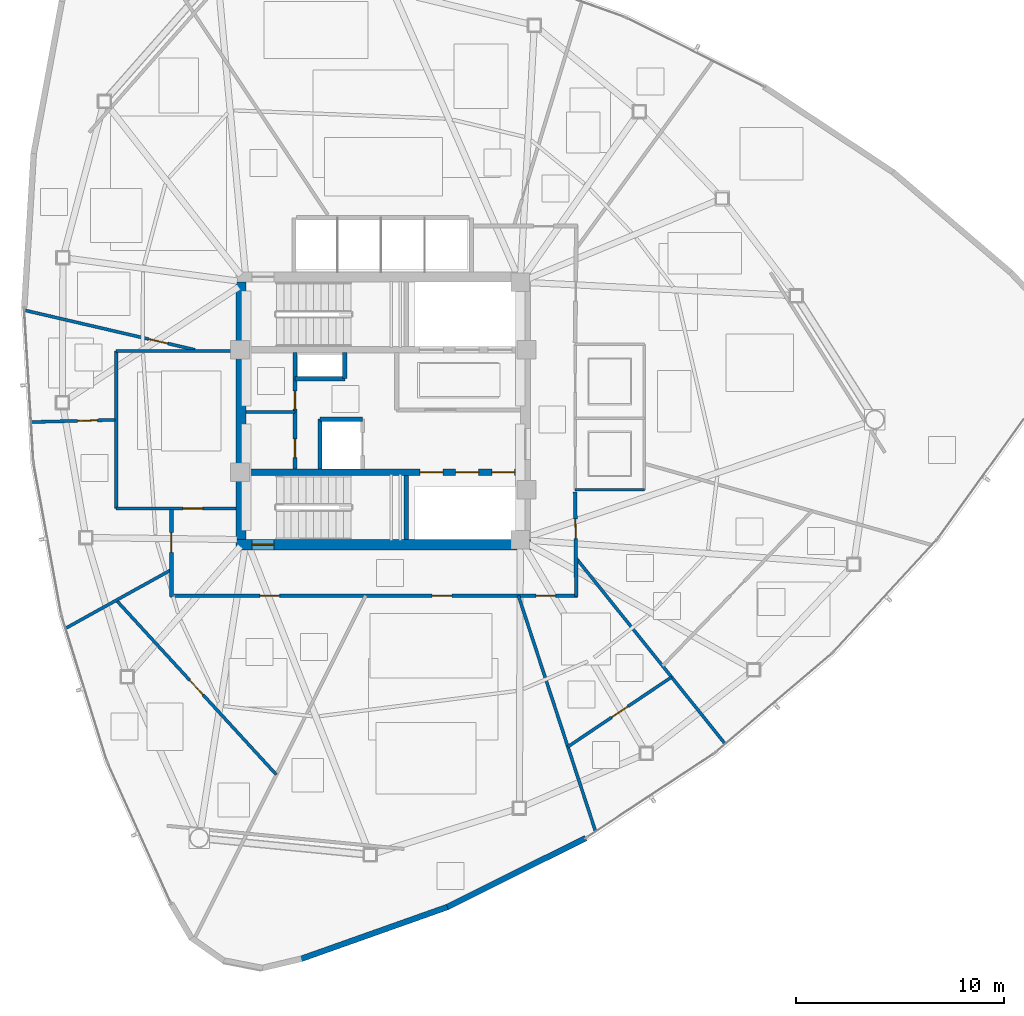
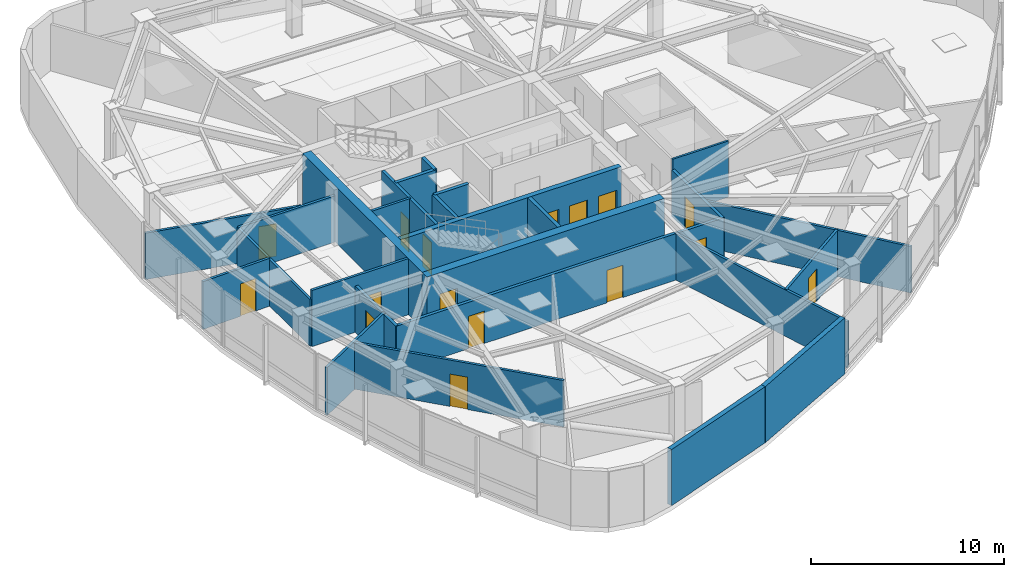
# One storey, part 11 of 17: 26 walls, 16 doors, 16 openings.
"""IFC4 building model written with IfcOpenShell, lengths in metres."""

from ifc_helpers import new_model, si_unit, direction, frame, frame_2d, origin, place, context, subcontext, project, spatial, rectangle, extrude, material, layer, layer_set, type_object, element, fill, save


model = new_model("IFC4")

# Units and contexts
model_context = context("Model", 3, precision=1e-05, world=origin(), true_north=direction((0.0, 1.0)))
body_context = subcontext(model_context, "Body", "Model", "MODEL_VIEW")
ifc_project = project(units=[si_unit("LENGTHUNIT", "METRE"), si_unit("AREAUNIT", "SQUARE_METRE"), si_unit("VOLUMEUNIT", "CUBIC_METRE"), si_unit("PLANEANGLEUNIT", "RADIAN"), si_unit("MASSUNIT", "GRAM", prefix="KILO")], contexts=[model_context])

# Site, building, storey
site_placement = place(None, origin())
site = spatial("IfcSite", under=ifc_project, at=site_placement, CompositionType="ELEMENT")
building_placement = place(site_placement, origin())
building = spatial("IfcBuilding", under=site, at=building_placement, Name="Tavelor Broadcast Tower", CompositionType="ELEMENT")
storey_placement = place(building_placement, frame((0.0, 0.0, 188.75)))
storey = spatial("IfcBuildingStorey", under=building, at=storey_placement, Name="L45", CompositionType="ELEMENT", Elevation=188.75)

# Wall, opening, door
ifc_material_1 = material(Name="Concrete C50/60", Category="concrete")
ifc_layer_1 = layer(ifc_material_1, 0.5)
ifc_layer_set_1 = layer_set([ifc_layer_1], Name="Concrete C50/60")
wall_type_1 = type_object("IfcWallType", Name="Core Shear Wall 500 mm", PredefinedType="SHEAR", material=ifc_layer_set_1)
wall_1_placement = place(storey_placement, frame((42.89990234375, 38.550048828125, 0.0), z_axis=(0.0, 0.0, 1.0), x_axis=(1.0, 0.0, 0.0)))
wall_1 = element("IfcWall", 1, at=wall_1_placement, inside=storey, type_object=wall_type_1, Name="L45 Central Core Shear Wall S", PredefinedType="SHEAR", context=body_context, shape_type="SweptSolid", body=[
    extrude(rectangle(XDim=14.2001953125, YDim=0.5, at=frame_2d((7.10009765625, 0.0))), origin(), (0.0, 0.0, 1.0), 3.550048828125),
])
opening_1_placement = place(wall_1_placement, frame((0.780029296875, 0.0, 0.0)))
opening_1 = element("IfcOpeningElement", 2, at=opening_1_placement, cuts=wall_1, Name="Opening DR11", PredefinedType="OPENING", context=body_context, shape_type="SweptSolid", body=[
    extrude(rectangle(XDim=1.050048828125, YDim=2.199951171875, at=frame_2d((0.52490234375, 1.10009765625))), frame((0.0, 0.260009765625, 0.0), z_axis=(0.0, -1.0, 0.0), x_axis=(1.0, 0.0, 0.0)), (0.0, 0.0, 1.0), 0.52001953125),
])
ifc_material_2 = material(Name="Steel S355", Category="steel")
door_type_1 = type_object("IfcDoorType", Name="Stair Core Fire Escape Door 1050x2200", OperationType="NOTDEFINED", PredefinedType="DOOR", material=ifc_material_2)
door_1_placement = place(opening_1_placement, origin())
door_1 = element("IfcDoor", 3, at=door_1_placement, inside=storey, type_object=door_type_1, Name="L45 Stair ST2 Protected Exit Door", OperationType="SINGLE_SWING_RIGHT", OverallHeight=2.199951171875, OverallWidth=1.050048828125, PredefinedType="DOOR", context=body_context, shape_type="SweptSolid", body=[
    extrude(rectangle(XDim=1.050048828125, YDim=2.199951171875, at=frame_2d((0.52490234375, 1.10009765625))), frame((0.0, 0.02490234375, 0.0), z_axis=(0.0, -1.0, 0.0), x_axis=(1.0, 0.0, 0.0)), (0.0, 0.0, 1.0), 0.050048828125),
])
fill(opening_1, door_1)

# Wall
wall_2_placement = place(storey_placement, frame((43.14990234375, 38.800048828125, 0.0), z_axis=(0.0, 0.0, 1.0), x_axis=(0.0, 1.0, 0.0)))
element("IfcWall", 4, at=wall_2_placement, inside=storey, type_object=wall_type_1, Name="L45 Central Core Shear Wall W", PredefinedType="SHEAR", context=body_context, shape_type="SweptSolid", body=[
    extrude(rectangle(XDim=12.39990234375, YDim=0.5, at=frame_2d((6.199951171875, 0.0))), origin(), (0.0, 0.0, 1.0), 3.550048828125),
])

# Wall, openings, doors
ifc_layer_2 = layer(ifc_material_1, 0.300048828125)
ifc_layer_set_2 = layer_set([ifc_layer_2], Name="Concrete C50/60")
wall_type_2 = type_object("IfcWallType", Name="Core Spine Shear Wall 300 mm C50", PredefinedType="SHEAR", material=ifc_layer_set_2)
wall_3_placement = place(storey_placement, frame((43.39990234375, 42.050048828125, 0.0), z_axis=(0.0, 0.0, 1.0), x_axis=(1.0, 0.0, 0.0)))
wall_3 = element("IfcWall", 5, at=wall_3_placement, inside=storey, type_object=wall_type_2, Name="L45 Central Core Shear Wall SP2", PredefinedType="SHEAR", context=body_context, shape_type="SweptSolid", body=[
    extrude(rectangle(XDim=13.2001953125, YDim=0.300048828125, at=frame_2d((6.60009765625, 0.0))), origin(), (0.0, 0.0, 1.0), 3.550048828125),
])
opening_2_placement = place(wall_3_placement, frame((8.3701171875, 0.0, 0.0)))
opening_2 = element("IfcOpeningElement", 6, at=opening_2_placement, cuts=wall_3, Name="Opening LD01", PredefinedType="OPENING", context=body_context, shape_type="SweptSolid", body=[
    extrude(rectangle(XDim=1.10009765625, YDim=2.14990234375, at=frame_2d((0.550048828125, 1.074951171875))), frame((0.0, 0.16015625, 0.0), z_axis=(0.0, -1.0, 0.0), x_axis=(1.0, 0.0, 0.0)), (0.0, 0.0, 1.0), 0.320068359375),
])
opening_3_placement = place(wall_3_placement, frame((10.090087890625, 0.0, 0.0)))
opening_3 = element("IfcOpeningElement", 7, at=opening_3_placement, cuts=wall_3, Name="Opening LD01", PredefinedType="OPENING", context=body_context, shape_type="SweptSolid", body=[
    extrude(rectangle(XDim=1.10009765625, YDim=2.14990234375, at=frame_2d((0.550048828125, 1.074951171875))), frame((0.0, 0.16015625, 0.0), z_axis=(0.0, -1.0, 0.0), x_axis=(1.0, 0.0, 0.0)), (0.0, 0.0, 1.0), 0.320068359375),
])
opening_4_placement = place(wall_3_placement, frame((11.830078125, 0.0, 0.0)))
opening_4 = element("IfcOpeningElement", 8, at=opening_4_placement, cuts=wall_3, Name="Opening LD01", PredefinedType="OPENING", context=body_context, shape_type="SweptSolid", body=[
    extrude(rectangle(XDim=1.10009765625, YDim=2.14990234375, at=frame_2d((0.550048828125, 1.074951171875))), frame((0.0, 0.16015625, 0.0), z_axis=(0.0, -1.0, 0.0), x_axis=(1.0, 0.0, 0.0)), (0.0, 0.0, 1.0), 0.320068359375),
])
ifc_material_3 = material(Name="Brushed Stainless Steel", Category="steel")
door_type_2 = type_object("IfcDoorType", Name="Passenger Lift Sliding Landing Door 1100x2150", OperationType="NOTDEFINED", PredefinedType="DOOR", material=ifc_material_3)
door_2_placement = place(opening_2_placement, origin())
door_2 = element("IfcDoor", 9, at=door_2_placement, inside=storey, type_object=door_type_2, Name="L45 Lift PLM1 Sliding Landing Door", OperationType="SLIDING_TO_LEFT", OverallHeight=2.14990234375, OverallWidth=1.10009765625, PredefinedType="DOOR", context=body_context, shape_type="SweptSolid", body=[
    extrude(rectangle(XDim=1.10009765625, YDim=2.14990234375, at=frame_2d((0.550048828125, 1.074951171875))), frame((0.0, 0.02490234375, 0.0), z_axis=(0.0, -1.0, 0.0), x_axis=(1.0, 0.0, 0.0)), (0.0, 0.0, 1.0), 0.050048828125),
])
fill(opening_2, door_2)
door_3_placement = place(opening_3_placement, origin())
door_3 = element("IfcDoor", 10, at=door_3_placement, inside=storey, type_object=door_type_2, Name="L45 Lift PLM2 Sliding Landing Door", OperationType="SLIDING_TO_LEFT", OverallHeight=2.14990234375, OverallWidth=1.10009765625, PredefinedType="DOOR", context=body_context, shape_type="SweptSolid", body=[
    extrude(rectangle(XDim=1.10009765625, YDim=2.14990234375, at=frame_2d((0.550048828125, 1.074951171875))), frame((0.0, 0.02490234375, 0.0), z_axis=(0.0, -1.0, 0.0), x_axis=(1.0, 0.0, 0.0)), (0.0, 0.0, 1.0), 0.050048828125),
])
fill(opening_3, door_3)
door_4_placement = place(opening_4_placement, origin())
door_4 = element("IfcDoor", 11, at=door_4_placement, inside=storey, type_object=door_type_2, Name="L45 Lift PLM3 Sliding Landing Door", OperationType="SLIDING_TO_LEFT", OverallHeight=2.14990234375, OverallWidth=1.10009765625, PredefinedType="DOOR", context=body_context, shape_type="SweptSolid", body=[
    extrude(rectangle(XDim=1.10009765625, YDim=2.14990234375, at=frame_2d((0.550048828125, 1.074951171875))), frame((0.0, 0.02490234375, 0.0), z_axis=(0.0, -1.0, 0.0), x_axis=(1.0, 0.0, 0.0)), (0.0, 0.0, 1.0), 0.050048828125),
])
fill(opening_4, door_4)

ifc_material_4 = material(Name="Calcium Silicate Fire Board 180 mm", Category="gypsum")
ifc_layer_3 = layer(ifc_material_4, 0.179931640625)
ifc_layer_set_3 = layer_set([ifc_layer_3], Name="Calcium Silicate Fire Board 180 mm")
wall_type_3 = type_object("IfcWallType", Name="Fire-Rated Corridor Partition Wall 180 mm", PredefinedType="PARTITIONING", material=ifc_layer_set_3)
wall_4_placement = place(storey_placement, frame((45.75, 42.199951171875, 0.0), z_axis=(0.0, 0.0, 1.0), x_axis=(0.0, 1.0, 0.0)))
wall_4 = element("IfcWall", 12, at=wall_4_placement, inside=storey, type_object=wall_type_3, Name="L45 Core West Service East Wall", PredefinedType="PARTITIONING", context=body_context, shape_type="SweptSolid", body=[
    extrude(rectangle(XDim=5.60009765625, YDim=0.179931640625, at=frame_2d((2.800048828125, 0.0))), origin(), (0.0, 0.0, 1.0), 3.550048828125),
])
opening_5_placement = place(wall_4_placement, frame((0.550048828125, 0.0, 0.0)))
opening_5 = element("IfcOpeningElement", 13, at=opening_5_placement, cuts=wall_4, Name="Opening DR32", PredefinedType="OPENING", context=body_context, shape_type="SweptSolid", body=[
    extrude(rectangle(XDim=0.89990234375, YDim=2.050048828125, at=frame_2d((0.449951171875, 1.02490234375))), frame((0.0, 0.10009765625, 0.0), z_axis=(0.0, -1.0, 0.0), x_axis=(1.0, 0.0, 0.0)), (0.0, 0.0, 1.0), 0.199951171875),
])
opening_6_placement = place(wall_4_placement, frame((2.89990234375, 0.0, 0.0)))
opening_6 = element("IfcOpeningElement", 14, at=opening_6_placement, cuts=wall_4, Name="Opening DR36", PredefinedType="OPENING", context=body_context, shape_type="SweptSolid", body=[
    extrude(rectangle(XDim=0.85009765625, YDim=2.050048828125, at=frame_2d((0.425048828125, 1.02490234375))), frame((0.0, 0.10009765625, 0.0), z_axis=(0.0, -1.0, 0.0), x_axis=(1.0, 0.0, 0.0)), (0.0, 0.0, 1.0), 0.199951171875),
])
ifc_material_5 = material(Name="Timber Solid Core Hardwood", Category="wood")
door_type_3 = type_object("IfcDoorType", Name="Accessible Washroom Door 900x2050", OperationType="NOTDEFINED", PredefinedType="DOOR", material=ifc_material_5)
door_5_placement = place(opening_5_placement, origin())
door_5 = element("IfcDoor", 15, at=door_5_placement, inside=storey, type_object=door_type_3, Name="L45 Core Accessible WC Door", OperationType="SINGLE_SWING_LEFT", OverallHeight=2.050048828125, OverallWidth=0.89990234375, PredefinedType="DOOR", context=body_context, shape_type="SweptSolid", body=[
    extrude(rectangle(XDim=0.89990234375, YDim=2.050048828125, at=frame_2d((0.449951171875, 1.02490234375))), frame((0.0, 0.02490234375, 0.0), z_axis=(0.0, -1.0, 0.0), x_axis=(1.0, 0.0, 0.0)), (0.0, 0.0, 1.0), 0.050048828125),
])
fill(opening_5, door_5)
door_type_4 = type_object("IfcDoorType", Name="Service Room Fire Door 850x2050", OperationType="NOTDEFINED", PredefinedType="DOOR", material=ifc_material_2)
door_6_placement = place(opening_6_placement, origin())
door_6 = element("IfcDoor", 16, at=door_6_placement, inside=storey, type_object=door_type_4, Name="L45 Core Cleaner Store Door", OperationType="SINGLE_SWING_RIGHT", OverallHeight=2.050048828125, OverallWidth=0.85009765625, PredefinedType="DOOR", context=body_context, shape_type="SweptSolid", body=[
    extrude(rectangle(XDim=0.85009765625, YDim=2.050048828125, at=frame_2d((0.425048828125, 1.02490234375))), frame((0.0, 0.02490234375, 0.0), z_axis=(0.0, -1.0, 0.0), x_axis=(1.0, 0.0, 0.0)), (0.0, 0.0, 1.0), 0.050048828125),
])
fill(opening_6, door_6)

# Wall, opening, door
wall_5_placement = place(storey_placement, frame((59.240478515625, 41.10009765625, 0.0), z_axis=(0.0, 0.0, 1.0), x_axis=(0.011891834917, -0.999929289631, 0.0)))
wall_5 = element("IfcWall", 17, at=wall_5_placement, inside=storey, type_object=wall_type_3, Name="L45 Corridor Compartment Wall 03", PredefinedType="PARTITIONING", context=body_context, shape_type="SweptSolid", body=[
    extrude(rectangle(XDim=5.05029296875, YDim=0.179931640625, at=frame_2d((2.525146484375, 0.0))), origin(), (0.0, 0.0, 1.0), 2.93505859375),
])
opening_7_placement = place(wall_5_placement, frame((1.304931640625, 0.0, 0.0)))
opening_7 = element("IfcOpeningElement", 18, at=opening_7_placement, cuts=wall_5, Name="Opening DR18", PredefinedType="OPENING", context=body_context, shape_type="SweptSolid", body=[
    extrude(rectangle(XDim=0.949951171875, YDim=2.050048828125, at=frame_2d((0.47509765625, 1.02490234375))), frame((0.0, 0.10009765625, 0.0), z_axis=(0.0, -1.0, 0.0), x_axis=(1.0, 0.0, 0.0)), (0.0, 0.0, 1.0), 0.199951171875),
])
door_type_5 = type_object("IfcDoorType", Name="Corridor Rated Compartment Door 950x2050", OperationType="NOTDEFINED", PredefinedType="DOOR", material=ifc_material_5)
door_7_placement = place(opening_7_placement, origin())
door_7 = element("IfcDoor", 19, at=door_7_placement, inside=storey, type_object=door_type_5, Name="L45 Press Concierge Desk Door R10", OperationType="SINGLE_SWING_LEFT", OverallHeight=2.050048828125, OverallWidth=0.949951171875, PredefinedType="DOOR", context=body_context, shape_type="SweptSolid", body=[
    extrude(rectangle(XDim=0.949951171875, YDim=2.050048828125, at=frame_2d((0.47509765625, 1.02490234375))), frame((0.0, 0.02490234375, 0.0), z_axis=(0.0, -1.0, 0.0), x_axis=(1.0, 0.0, 0.0)), (0.0, 0.0, 1.0), 0.050048828125),
])
fill(opening_7, door_7)

# Wall, openings, doors
wall_6_placement = place(storey_placement, frame((59.35009765625, 36.10009765625, 0.0), z_axis=(0.0, 0.0, 1.0), x_axis=(-1.0, 0.0, 0.0)))
wall_6 = element("IfcWall", 20, at=wall_6_placement, inside=storey, type_object=wall_type_3, Name="L45 Corridor Compartment Wall 04", PredefinedType="PARTITIONING", context=body_context, shape_type="SweptSolid", body=[
    extrude(rectangle(XDim=19.60009765625, YDim=0.179931640625, at=frame_2d((9.800048828125, 0.0))), origin(), (0.0, 0.0, 1.0), 2.93505859375),
])
opening_8_placement = place(wall_6_placement, frame((1.042236328125, 0.0, 0.0)))
opening_8 = element("IfcOpeningElement", 21, at=opening_8_placement, cuts=wall_6, Name="Opening DR18", PredefinedType="OPENING", context=body_context, shape_type="SweptSolid", body=[
    extrude(rectangle(XDim=0.949951171875, YDim=2.050048828125, at=frame_2d((0.47509765625, 1.02490234375))), frame((0.0, 0.10009765625, 0.0), z_axis=(0.0, -1.0, 0.0), x_axis=(1.0, 0.0, 0.0)), (0.0, 0.0, 1.0), 0.199951171875),
])
opening_9_placement = place(wall_6_placement, frame((6.048095703125, 0.0, 0.0)))
opening_9 = element("IfcOpeningElement", 22, at=opening_9_placement, cuts=wall_6, Name="Opening DR18", PredefinedType="OPENING", context=body_context, shape_type="SweptSolid", body=[
    extrude(rectangle(XDim=0.949951171875, YDim=2.050048828125, at=frame_2d((0.47509765625, 1.02490234375))), frame((0.0, 0.10009765625, 0.0), z_axis=(0.0, -1.0, 0.0), x_axis=(1.0, 0.0, 0.0)), (0.0, 0.0, 1.0), 0.199951171875),
])
opening_10_placement = place(wall_6_placement, frame((14.3359375, 0.0, 0.0)))
opening_10 = element("IfcOpeningElement", 23, at=opening_10_placement, cuts=wall_6, Name="Opening DR18", PredefinedType="OPENING", context=body_context, shape_type="SweptSolid", body=[
    extrude(rectangle(XDim=0.949951171875, YDim=2.050048828125, at=frame_2d((0.47509765625, 1.02490234375))), frame((0.0, 0.10009765625, 0.0), z_axis=(0.0, -1.0, 0.0), x_axis=(1.0, 0.0, 0.0)), (0.0, 0.0, 1.0), 0.199951171875),
])
door_8_placement = place(opening_8_placement, origin())
door_8 = element("IfcDoor", 24, at=door_8_placement, inside=storey, type_object=door_type_5, Name="L45 Quiet Listening Room Door R11", OperationType="SINGLE_SWING_RIGHT", OverallHeight=2.050048828125, OverallWidth=0.949951171875, PredefinedType="DOOR", context=body_context, shape_type="SweptSolid", body=[
    extrude(rectangle(XDim=0.949951171875, YDim=2.050048828125, at=frame_2d((0.47509765625, 1.02490234375))), frame((0.0, 0.02490234375, 0.0), z_axis=(0.0, -1.0, 0.0), x_axis=(1.0, 0.0, 0.0)), (0.0, 0.0, 1.0), 0.050048828125),
])
fill(opening_8, door_8)
door_9_placement = place(opening_9_placement, origin())
door_9 = element("IfcDoor", 25, at=door_9_placement, inside=storey, type_object=door_type_5, Name="L45 Producer Interview Room Door R3", OperationType="SINGLE_SWING_LEFT", OverallHeight=2.050048828125, OverallWidth=0.949951171875, PredefinedType="DOOR", context=body_context, shape_type="SweptSolid", body=[
    extrude(rectangle(XDim=0.949951171875, YDim=2.050048828125, at=frame_2d((0.47509765625, 1.02490234375))), frame((0.0, 0.02490234375, 0.0), z_axis=(0.0, -1.0, 0.0), x_axis=(1.0, 0.0, 0.0)), (0.0, 0.0, 1.0), 0.050048828125),
])
fill(opening_9, door_9)
door_10_placement = place(opening_10_placement, origin())
door_10 = element("IfcDoor", 26, at=door_10_placement, inside=storey, type_object=door_type_5, Name="L45 Talent Concierge Desk Door R12", OperationType="SINGLE_SWING_RIGHT", OverallHeight=2.050048828125, OverallWidth=0.949951171875, PredefinedType="DOOR", context=body_context, shape_type="SweptSolid", body=[
    extrude(rectangle(XDim=0.949951171875, YDim=2.050048828125, at=frame_2d((0.47509765625, 1.02490234375))), frame((0.0, 0.02490234375, 0.0), z_axis=(0.0, -1.0, 0.0), x_axis=(1.0, 0.0, 0.0)), (0.0, 0.0, 1.0), 0.050048828125),
])
fill(opening_10, door_10)

# Wall, opening, door
wall_7_placement = place(storey_placement, frame((39.800048828125, 36.050048828125, 0.0), z_axis=(0.0, 0.0, 1.0), x_axis=(0.0, 1.0, 0.0)))
wall_7 = element("IfcWall", 27, at=wall_7_placement, inside=storey, type_object=wall_type_3, Name="L45 Corridor Compartment Wall 05", PredefinedType="PARTITIONING", context=body_context, shape_type="SweptSolid", body=[
    extrude(rectangle(XDim=4.199951171875, YDim=0.179931640625, at=frame_2d((2.10009765625, 0.0))), origin(), (0.0, 0.0, 1.0), 2.93505859375),
])
opening_11_placement = place(wall_7_placement, frame((2.1337890625, 0.0, 0.0)))
opening_11 = element("IfcOpeningElement", 28, at=opening_11_placement, cuts=wall_7, Name="Opening DR18", PredefinedType="OPENING", context=body_context, shape_type="SweptSolid", body=[
    extrude(rectangle(XDim=0.949951171875, YDim=2.050048828125, at=frame_2d((0.47509765625, 1.02490234375))), frame((0.0, 0.10009765625, 0.0), z_axis=(0.0, -1.0, 0.0), x_axis=(1.0, 0.0, 0.0)), (0.0, 0.0, 1.0), 0.199951171875),
])
door_11_placement = place(opening_11_placement, origin())
door_11 = element("IfcDoor", 29, at=door_11_placement, inside=storey, type_object=door_type_5, Name="L45 Press Interview Room Door R5", OperationType="SINGLE_SWING_LEFT", OverallHeight=2.050048828125, OverallWidth=0.949951171875, PredefinedType="DOOR", context=body_context, shape_type="SweptSolid", body=[
    extrude(rectangle(XDim=0.949951171875, YDim=2.050048828125, at=frame_2d((0.47509765625, 1.02490234375))), frame((0.0, 0.02490234375, 0.0), z_axis=(0.0, -1.0, 0.0), x_axis=(1.0, 0.0, 0.0)), (0.0, 0.0, 1.0), 0.050048828125),
])
fill(opening_11, door_11)

# Walls
ifc_material_6 = material(Name="Precast Concrete C40/50", Category="concrete")
ifc_layer_4 = layer(ifc_material_6, 0.280029296875)
ifc_layer_set_4 = layer_set([ifc_layer_4], Name="Precast Concrete C40/50")
wall_type_4 = type_object("IfcWallType", Name="Insulated Precast Terracotta Facade Wall 280 mm", PredefinedType="STANDARD", material=ifc_layer_set_4)
wall_8_placement = place(storey_placement, frame((46.0341796875, 18.603759765625, 0.0), z_axis=(0.0, 0.0, 1.0), x_axis=(0.942506976487, 0.334186473804, 0.0)))
element("IfcWall", 30, at=wall_8_placement, inside=storey, type_object=wall_type_4, Name="L45 Rounded Corner Structural Cladding Pier 15", PredefinedType="STANDARD", context=body_context, shape_type="SweptSolid", body=[
    extrude(rectangle(XDim=7.484619140625, YDim=0.280029296875, at=frame_2d((3.7421875, 0.0))), origin(), (0.0, 0.0, 1.0), 3.550048828125),
])
wall_9_placement = place(storey_placement, frame((53.06103515625, 21.09326171875, 0.0), z_axis=(0.0, 0.0, 1.0), x_axis=(0.895131780242, 0.445801633017, 0.0)))
element("IfcWall", 31, at=wall_9_placement, inside=storey, type_object=wall_type_4, Name="L45 Rounded Corner Structural Cladding Pier 16", PredefinedType="STANDARD", context=body_context, shape_type="SweptSolid", body=[
    extrude(rectangle(XDim=7.47265625, YDim=0.280029296875, at=frame_2d((3.736328125, 0.0))), origin(), (0.0, 0.0, 1.0), 3.550048828125),
])
ifc_material_7 = material(Name="Gypsum Acoustic Plasterboard 150 mm", Category="gypsum")
ifc_layer_5 = layer(ifc_material_7, 0.14990234375)
ifc_layer_set_5 = layer_set([ifc_layer_5], Name="Gypsum Acoustic Plasterboard 150 mm")
wall_type_5 = type_object("IfcWallType", Name="Interior Acoustic Partition Wall 150 mm", PredefinedType="PARTITIONING", material=ifc_layer_set_5)
wall_10_placement = place(storey_placement, frame((43.39990234375, 44.949951171875, 0.0), z_axis=(0.0, 0.0, 1.0), x_axis=(1.0, 0.0, 0.0)))
element("IfcWall", 32, at=wall_10_placement, inside=storey, type_object=wall_type_5, Name="L45 Core Split Wall A", PredefinedType="PARTITIONING", context=body_context, shape_type="SweptSolid", body=[
    extrude(rectangle(XDim=2.35009765625, YDim=0.14990234375, at=frame_2d((1.175048828125, 0.0))), origin(), (0.0, 0.0, 1.0), 3.550048828125),
])

# Wall, opening, door
wall_11_placement = place(storey_placement, frame((37.139892578125, 40.300048828125, 0.0), z_axis=(0.0, 0.0, 1.0), x_axis=(1.0, 0.0, 0.0)))
wall_11 = element("IfcWall", 33, at=wall_11_placement, inside=storey, type_object=wall_type_5, Name="L45 Reclaimed Shaft Pantry South Wall", PredefinedType="PARTITIONING", context=body_context, shape_type="SweptSolid", body=[
    extrude(rectangle(XDim=5.760009765625, YDim=0.14990234375, at=frame_2d((2.8798828125, 0.0))), origin(), (0.0, 0.0, 1.0), 3.550048828125),
])
opening_12_placement = place(wall_11_placement, frame((3.2099609375, 0.0, 0.0)))
opening_12 = element("IfcOpeningElement", 34, at=opening_12_placement, cuts=wall_11, Name="Opening DR18", PredefinedType="OPENING", context=body_context, shape_type="SweptSolid", body=[
    extrude(rectangle(XDim=0.949951171875, YDim=2.050048828125, at=frame_2d((0.47509765625, 1.02490234375))), frame((0.0, 0.0849609375, 0.0), z_axis=(0.0, -1.0, 0.0), x_axis=(1.0, 0.0, 0.0)), (0.0, 0.0, 1.0), 0.169921875),
])
door_12_placement = place(opening_12_placement, origin())
door_12 = element("IfcDoor", 35, at=door_12_placement, inside=storey, type_object=door_type_5, Name="L45 Broadcast IT Patch and Pantry Door", OperationType="SINGLE_SWING_LEFT", OverallHeight=2.050048828125, OverallWidth=0.949951171875, PredefinedType="DOOR", context=body_context, shape_type="SweptSolid", body=[
    extrude(rectangle(XDim=0.949951171875, YDim=2.050048828125, at=frame_2d((0.47509765625, 1.02490234375))), frame((0.0, 0.02490234375, 0.0), z_axis=(0.0, -1.0, 0.0), x_axis=(1.0, 0.0, 0.0)), (0.0, 0.0, 1.0), 0.050048828125),
])
fill(opening_12, door_12)

# Walls
wall_12_placement = place(storey_placement, frame((37.139892578125, 40.300048828125, 0.0), z_axis=(0.0, 0.0, 1.0), x_axis=(0.0, 1.0, 0.0)))
element("IfcWall", 36, at=wall_12_placement, inside=storey, type_object=wall_type_5, Name="L45 Reclaimed Shaft Pantry West Wall", PredefinedType="PARTITIONING", context=body_context, shape_type="SweptSolid", body=[
    extrude(rectangle(XDim=7.579833984375, YDim=0.14990234375, at=frame_2d((3.7900390625, 0.0))), origin(), (0.0, 0.0, 1.0), 2.93505859375),
])
wall_13_placement = place(storey_placement, frame((37.139892578125, 47.8798828125, 0.0), z_axis=(0.0, 0.0, 1.0), x_axis=(1.0, 0.0, 0.0)))
element("IfcWall", 37, at=wall_13_placement, inside=storey, type_object=wall_type_5, Name="L45 Reclaimed Shaft Pantry North Wall", PredefinedType="PARTITIONING", context=body_context, shape_type="SweptSolid", body=[
    extrude(rectangle(XDim=5.760009765625, YDim=0.14990234375, at=frame_2d((2.8798828125, 0.0))), origin(), (0.0, 0.0, 1.0), 2.93505859375),
])

# Wall, opening, door
wall_14_placement = place(storey_placement, frame((37.080078125, 44.5673828125, 0.0), z_axis=(0.0, 0.0, 1.0), x_axis=(-0.999657078265, -0.026186368123, 0.0)))
wall_14 = element("IfcWall", 38, at=wall_14_placement, inside=storey, type_object=wall_type_5, Name="L45 Radial Compartment Wall 01", PredefinedType="PARTITIONING", context=body_context, shape_type="SweptSolid", body=[
    extrude(rectangle(XDim=4.0556640625, YDim=0.14990234375, at=frame_2d((2.02783203125, 0.0))), origin(), (0.0, 0.0, 1.0), 3.02490234375),
])
opening_13_placement = place(wall_14_placement, frame((0.85009765625, 0.0, 0.0)))
opening_13 = element("IfcOpeningElement", 39, at=opening_13_placement, cuts=wall_14, Name="Opening DR18", PredefinedType="OPENING", context=body_context, shape_type="SweptSolid", body=[
    extrude(rectangle(XDim=0.949951171875, YDim=2.050048828125, at=frame_2d((0.47509765625, 1.02490234375))), frame((0.0, 0.0849609375, 0.0), z_axis=(0.0, -1.0, 0.0), x_axis=(1.0, 0.0, 0.0)), (0.0, 0.0, 1.0), 0.169921875),
])
door_13_placement = place(opening_13_placement, origin())
door_13 = element("IfcDoor", 40, at=door_13_placement, inside=storey, type_object=door_type_5, Name="L45 Suite Connecting Door 6", OperationType="SINGLE_SWING_LEFT", OverallHeight=2.050048828125, OverallWidth=0.949951171875, PredefinedType="DOOR", context=body_context, shape_type="SweptSolid", body=[
    extrude(rectangle(XDim=0.949951171875, YDim=2.050048828125, at=frame_2d((0.47509765625, 1.02490234375))), frame((0.0, 0.02490234375, 0.0), z_axis=(0.0, -1.0, 0.0), x_axis=(1.0, 0.0, 0.0)), (0.0, 0.0, 1.0), 0.050048828125),
])
fill(opening_13, door_13)

# Walls
wall_15_placement = place(storey_placement, frame((39.800048828125, 37.352294921875, 0.0), z_axis=(0.0, 0.0, 1.0), x_axis=(-0.874673544056, -0.484712483158, 0.0)))
element("IfcWall", 41, at=wall_15_placement, inside=storey, type_object=wall_type_5, Name="L45 Radial Compartment Wall 02", PredefinedType="PARTITIONING", context=body_context, shape_type="SweptSolid", body=[
    extrude(rectangle(XDim=5.838623046875, YDim=0.14990234375, at=frame_2d((2.91943359375, 0.0))), origin(), (0.0, 0.0, 1.0), 3.02490234375),
])
wall_16_placement = place(storey_placement, frame((56.51171875, 36.10009765625, 0.0), z_axis=(0.0, 0.0, 1.0), x_axis=(0.310932807992, -0.950431895989, 0.0)))
element("IfcWall", 42, at=wall_16_placement, inside=storey, type_object=wall_type_5, Name="L45 Radial Compartment Wall 04", PredefinedType="PARTITIONING", context=body_context, shape_type="SweptSolid", body=[
    extrude(rectangle(XDim=11.96240234375, YDim=0.14990234375, at=frame_2d((5.981201171875, 0.0))), origin(), (0.0, 0.0, 1.0), 2.93505859375),
])
wall_17_placement = place(storey_placement, frame((59.2783203125, 37.9228515625, 0.0), z_axis=(0.0, 0.0, 1.0), x_axis=(0.625817580047, -0.7799694587, 0.0)))
element("IfcWall", 43, at=wall_17_placement, inside=storey, type_object=wall_type_5, Name="L45 Radial Compartment Wall 05", PredefinedType="PARTITIONING", context=body_context, shape_type="SweptSolid", body=[
    extrude(rectangle(XDim=11.50439453125, YDim=0.14990234375, at=frame_2d((5.752197265625, 0.0))), origin(), (0.0, 0.0, 1.0), 2.93505859375),
])

# Wall, opening, door
wall_18_placement = place(storey_placement, frame((40.937255859375, 47.93994140625, 0.0), z_axis=(0.0, 0.0, 1.0), x_axis=(-0.974086065595, 0.226177666479, 0.0)))
wall_18 = element("IfcWall", 44, at=wall_18_placement, inside=storey, type_object=wall_type_5, Name="L45 Radial Compartment Wall 10", PredefinedType="PARTITIONING", context=body_context, shape_type="SweptSolid", body=[
    extrude(rectangle(XDim=8.452880859375, YDim=0.14990234375, at=frame_2d((4.2265625, 0.0))), origin(), (0.0, 0.0, 1.0), 2.93505859375),
])
opening_14_placement = place(wall_18_placement, frame((1.35009765625, 0.0, 0.0)))
opening_14 = element("IfcOpeningElement", 45, at=opening_14_placement, cuts=wall_18, Name="Opening DR18", PredefinedType="OPENING", context=body_context, shape_type="SweptSolid", body=[
    extrude(rectangle(XDim=0.949951171875, YDim=2.050048828125, at=frame_2d((0.47509765625, 1.02490234375))), frame((0.0, 0.0849609375, 0.0), z_axis=(0.0, -1.0, 0.0), x_axis=(1.0, 0.0, 0.0)), (0.0, 0.0, 1.0), 0.169921875),
])
door_14_placement = place(opening_14_placement, origin())
door_14 = element("IfcDoor", 46, at=door_14_placement, inside=storey, type_object=door_type_5, Name="L45 Suite Connecting Door 7", OperationType="SINGLE_SWING_LEFT", OverallHeight=2.050048828125, OverallWidth=0.949951171875, PredefinedType="DOOR", context=body_context, shape_type="SweptSolid", body=[
    extrude(rectangle(XDim=0.949951171875, YDim=2.050048828125, at=frame_2d((0.47509765625, 1.02490234375))), frame((0.0, 0.02490234375, 0.0), z_axis=(0.0, -1.0, 0.0), x_axis=(1.0, 0.0, 0.0)), (0.0, 0.0, 1.0), 0.050048828125),
])
fill(opening_14, door_14)

wall_19_placement = place(storey_placement, frame((37.144287109375, 35.880615234375, 0.0), z_axis=(0.0, 0.0, 1.0), x_axis=(0.676055232475, -0.736850950086, 0.0)))
wall_19 = element("IfcWall", 47, at=wall_19_placement, inside=storey, type_object=wall_type_5, Name="L45 Suite Chord Partition Wall 01", PredefinedType="PARTITIONING", context=body_context, shape_type="SweptSolid", body=[
    extrude(rectangle(XDim=11.400634765625, YDim=0.14990234375, at=frame_2d((5.7001953125, 0.0))), origin(), (0.0, 0.0, 1.0), 2.93505859375),
])
opening_15_placement = place(wall_19_placement, frame((5.22509765625, 0.0, 0.0)))
opening_15 = element("IfcOpeningElement", 48, at=opening_15_placement, cuts=wall_19, Name="Opening DR23", PredefinedType="OPENING", context=body_context, shape_type="SweptSolid", body=[
    extrude(rectangle(XDim=0.949951171875, YDim=2.050048828125, at=frame_2d((0.47509765625, 1.02490234375))), frame((0.0, 0.0849609375, 0.0), z_axis=(0.0, -1.0, 0.0), x_axis=(1.0, 0.0, 0.0)), (0.0, 0.0, 1.0), 0.169921875),
])
door_type_6 = type_object("IfcDoorType", Name="Editorial Room Acoustic Door 950x2050", OperationType="NOTDEFINED", PredefinedType="DOOR", material=ifc_material_5)
door_15_placement = place(opening_15_placement, origin())
door_15 = element("IfcDoor", 49, at=door_15_placement, inside=storey, type_object=door_type_6, Name="L45 Outer Suite Partition Door 1", OperationType="SINGLE_SWING_RIGHT", OverallHeight=2.050048828125, OverallWidth=0.949951171875, PredefinedType="DOOR", context=body_context, shape_type="SweptSolid", body=[
    extrude(rectangle(XDim=0.949951171875, YDim=2.050048828125, at=frame_2d((0.47509765625, 1.02490234375))), frame((0.0, 0.02490234375, 0.0), z_axis=(0.0, -1.0, 0.0), x_axis=(1.0, 0.0, 0.0)), (0.0, 0.0, 1.0), 0.050048828125),
])
fill(opening_15, door_15)

wall_20_placement = place(storey_placement, frame((58.892333984375, 28.82373046875, 0.0), z_axis=(0.0, 0.0, 1.0), x_axis=(0.829965651244, 0.557814501205, 0.0)))
wall_20 = element("IfcWall", 50, at=wall_20_placement, inside=storey, type_object=wall_type_5, Name="L45 Suite Chord Partition Wall 03", PredefinedType="PARTITIONING", context=body_context, shape_type="SweptSolid", body=[
    extrude(rectangle(XDim=6.0166015625, YDim=0.14990234375, at=frame_2d((3.00830078125, 0.0))), origin(), (0.0, 0.0, 1.0), 2.93505859375),
])
opening_16_placement = place(wall_20_placement, frame((2.533447265625, 0.0, 0.0)))
opening_16 = element("IfcOpeningElement", 51, at=opening_16_placement, cuts=wall_20, Name="Opening DR23", PredefinedType="OPENING", context=body_context, shape_type="SweptSolid", body=[
    extrude(rectangle(XDim=0.949951171875, YDim=2.050048828125, at=frame_2d((0.47509765625, 1.02490234375))), frame((0.0, 0.0849609375, 0.0), z_axis=(0.0, -1.0, 0.0), x_axis=(1.0, 0.0, 0.0)), (0.0, 0.0, 1.0), 0.169921875),
])
door_16_placement = place(opening_16_placement, origin())
door_16 = element("IfcDoor", 52, at=door_16_placement, inside=storey, type_object=door_type_6, Name="L45 Outer Suite Partition Door 3", OperationType="SINGLE_SWING_RIGHT", OverallHeight=2.050048828125, OverallWidth=0.949951171875, PredefinedType="DOOR", context=body_context, shape_type="SweptSolid", body=[
    extrude(rectangle(XDim=0.949951171875, YDim=2.050048828125, at=frame_2d((0.47509765625, 1.02490234375))), frame((0.0, 0.02490234375, 0.0), z_axis=(0.0, -1.0, 0.0), x_axis=(1.0, 0.0, 0.0)), (0.0, 0.0, 1.0), 0.050048828125),
])
fill(opening_16, door_16)

# Walls
ifc_material_8 = material(Name="Concrete Blockwork 200 mm", Category="masonry")
ifc_layer_6 = layer(ifc_material_8, 0.199951171875)
ifc_layer_set_6 = layer_set([ifc_layer_6], Name="Concrete Blockwork 200 mm")
wall_type_6 = type_object("IfcWallType", Name="Lift and Riser Shaft Enclosure Wall 200 mm", PredefinedType="PARTITIONING", material=ifc_layer_set_6)
wall_21_placement = place(storey_placement, frame((45.75, 46.550048828125, 0.0), z_axis=(0.0, 0.0, 1.0), x_axis=(1.0, 0.0, 0.0)))
element("IfcWall", 53, at=wall_21_placement, inside=storey, type_object=wall_type_6, Name="L45 Riser Shaft South Wall", PredefinedType="PARTITIONING", context=body_context, shape_type="SweptSolid", body=[
    extrude(rectangle(XDim=2.39990234375, YDim=0.199951171875, at=frame_2d((1.199951171875, 0.0))), origin(), (0.0, 0.0, 1.0), 3.550048828125),
])
wall_22_placement = place(storey_placement, frame((48.14990234375, 46.550048828125, 0.0), z_axis=(0.0, 0.0, 1.0), x_axis=(0.0, 1.0, 0.0)))
element("IfcWall", 54, at=wall_22_placement, inside=storey, type_object=wall_type_6, Name="L45 Riser Shaft East Wall", PredefinedType="PARTITIONING", context=body_context, shape_type="SweptSolid", body=[
    extrude(rectangle(XDim=1.25, YDim=0.199951171875, at=frame_2d((0.625, 0.0))), origin(), (0.0, 0.0, 1.0), 3.550048828125),
])
wall_23_placement = place(storey_placement, frame((46.949951171875, 42.199951171875, 0.0), z_axis=(0.0, 0.0, 1.0), x_axis=(0.0, 1.0, 0.0)))
element("IfcWall", 55, at=wall_23_placement, inside=storey, type_object=wall_type_6, Name="L45 Mid-Rise Lift PLM4 West Wall", PredefinedType="PARTITIONING", context=body_context, shape_type="SweptSolid", body=[
    extrude(rectangle(XDim=2.400146484375, YDim=0.199951171875, at=frame_2d((1.2001953125, 0.0))), origin(), (0.0, 0.0, 1.0), 3.550048828125),
])
wall_24_placement = place(storey_placement, frame((46.949951171875, 44.60009765625, 0.0), z_axis=(0.0, 0.0, 1.0), x_axis=(1.0, 0.0, 0.0)))
element("IfcWall", 56, at=wall_24_placement, inside=storey, type_object=wall_type_6, Name="L45 Mid-Rise Lift PLM4 North Wall", PredefinedType="PARTITIONING", context=body_context, shape_type="SweptSolid", body=[
    extrude(rectangle(XDim=2.050048828125, YDim=0.199951171875, at=frame_2d((1.02490234375, 0.0))), origin(), (0.0, 0.0, 1.0), 3.550048828125),
])
ifc_material_9 = material(Name="Moisture-Resistant Plasterboard 120 mm", Category="gypsum")
ifc_layer_7 = layer(ifc_material_9, 0.1201171875)
ifc_layer_set_7 = layer_set([ifc_layer_7], Name="Moisture-Resistant Plasterboard 120 mm")
wall_type_7 = type_object("IfcWallType", Name="Moisture-Resistant Wet-Room Partition 120 mm", PredefinedType="PARTITIONING", material=ifc_layer_set_7)
wall_25_placement = place(storey_placement, frame((59.239990234375, 41.199951171875, 0.0), z_axis=(0.0, 0.0, 1.0), x_axis=(1.0, 0.0, 0.0)))
element("IfcWall", 57, at=wall_25_placement, inside=storey, type_object=wall_type_7, Name="L45 Floor Washrooms South Wall", PredefinedType="PARTITIONING", context=body_context, shape_type="SweptSolid", body=[
    extrude(rectangle(XDim=3.340087890625, YDim=0.1201171875, at=frame_2d((1.669921875, 0.0))), origin(), (0.0, 0.0, 1.0), 3.550048828125),
])
ifc_material_10 = material(Name="Concrete C40/50", Category="concrete")
ifc_layer_8 = layer(ifc_material_10, 0.219970703125)
ifc_layer_set_8 = layer_set([ifc_layer_8], Name="Concrete C40/50")
wall_type_8 = type_object("IfcWallType", Name="Structural Stairwell Shear Wall 220 mm", PredefinedType="SHEAR", material=ifc_layer_set_8)
wall_26_placement = place(storey_placement, frame((51.110107421875, 38.800048828125, 0.0), z_axis=(0.0, 0.0, 1.0), x_axis=(0.0, 1.0, 0.0)))
element("IfcWall", 58, at=wall_26_placement, inside=storey, type_object=wall_type_8, Name="L45 Stair ST2 Structural Shaft Wall", PredefinedType="SHEAR", context=body_context, shape_type="SweptSolid", body=[
    extrude(rectangle(XDim=3.099853515625, YDim=0.219970703125, at=frame_2d((1.5498046875, 0.0))), origin(), (0.0, 0.0, 1.0), 3.550048828125),
])

save(model, "model.ifc")
